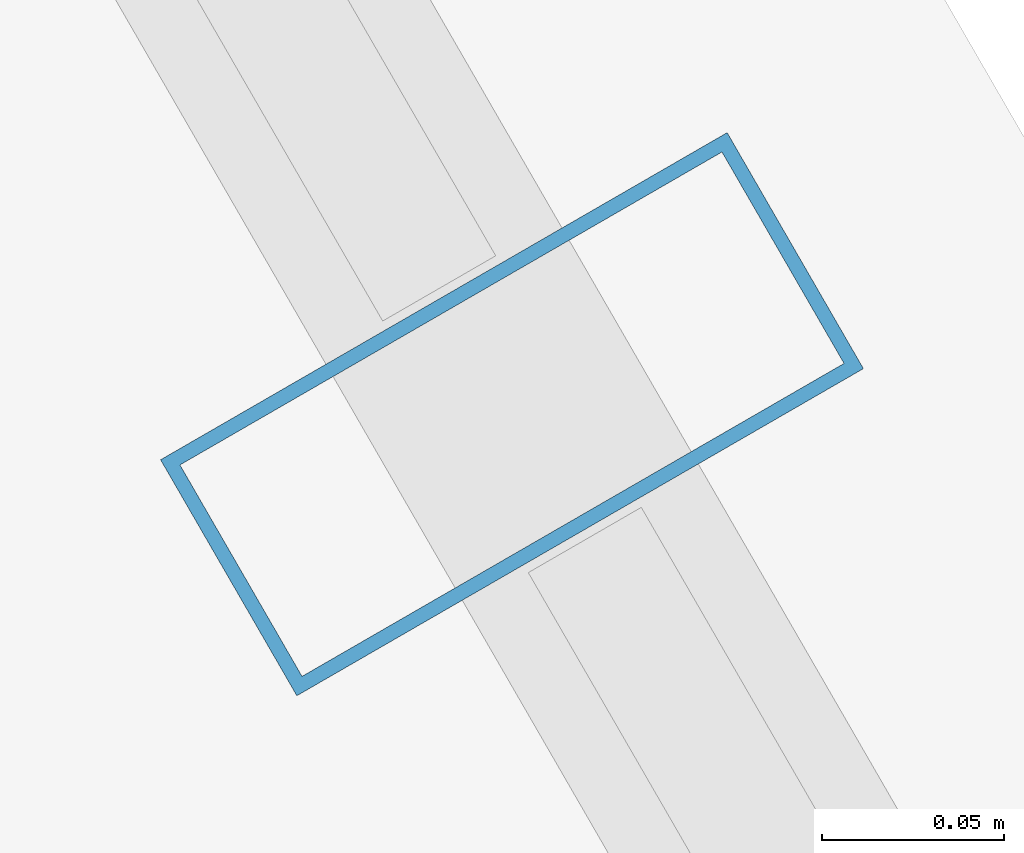
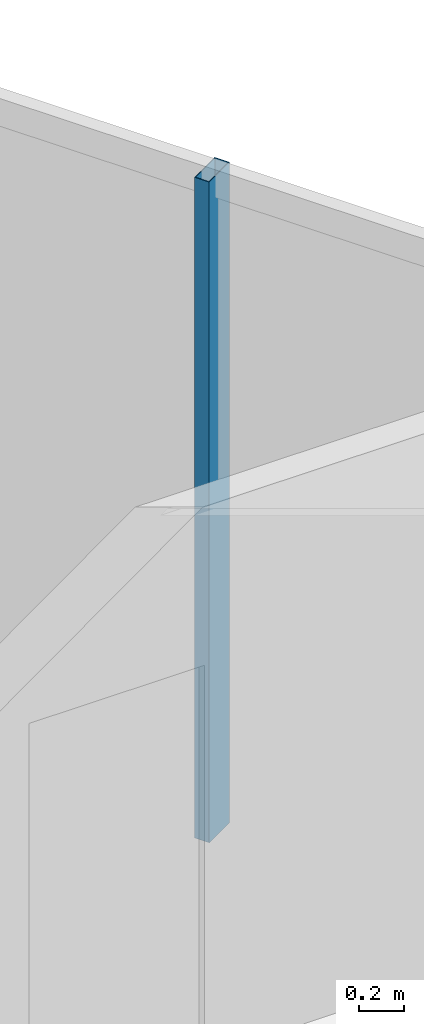
# One storey, part 15 of 29: 1 member, 1 element without a shape of its own.
"""IFC4 building model written with IfcOpenShell, lengths in metres."""

from ifc_helpers import new_model, si_unit, direction, frame, origin, origin_2d, place, context, subcontext, project, spatial, hollow_rectangle, extrude, material, layer, layer_set, material_profile, profile_set, type_object, element, aggregate, save


model = new_model("IFC4")

# Units and contexts
model_context = context("Model", 3, precision=1e-05, world=origin(), true_north=direction((0.0, 1.0)))
body_context = subcontext(model_context, "Body", "Model", "MODEL_VIEW")
ifc_project = project(units=[si_unit("LENGTHUNIT", "METRE"), si_unit("AREAUNIT", "SQUARE_METRE"), si_unit("VOLUMEUNIT", "CUBIC_METRE"), si_unit("PLANEANGLEUNIT", "RADIAN"), si_unit("MASSUNIT", "GRAM", prefix="KILO")], contexts=[model_context])

# Site, building, storey
site_placement = place(None, origin())
site = spatial("IfcSite", under=ifc_project, at=site_placement, CompositionType="ELEMENT")
building_placement = place(site_placement, origin())
building = spatial("IfcBuilding", under=site, at=building_placement, Name="Ndaravel Arena Tower", CompositionType="ELEMENT")
storey_placement = place(building_placement, frame((0.0, 0.0, 248.39990234375)))
storey = spatial("IfcBuildingStorey", under=building, at=storey_placement, Name="L60", CompositionType="ELEMENT", Elevation=248.39990234375)

# Curtain wall, member
ifc_material_1 = material(Name="Aluminium", Category="aluminium")
ifc_layer = layer(ifc_material_1, 0.179931640625)
ifc_layer_set = layer_set([ifc_layer], Name="Aluminium")
curtain_wall_type = type_object("IfcCurtainWallType", Name="CW-SYS-03", PredefinedType="NOTDEFINED", material=ifc_layer_set)
curtain_wall_placement = place(storey_placement, origin())
curtain_wall = element("IfcCurtainWall", 1, at=curtain_wall_placement, inside=storey, type_object=curtain_wall_type, Name="L60 Faceted Crystal Curtain Wall CW-L60-E03", PredefinedType="NOTDEFINED")
ifc_material_2 = material(Name="Aluminium", Category="aluminium")
ifc_material_profile = material_profile(ifc_material_2, hollow_rectangle(XDim=0.074951171875, YDim=0.179931640625, WallThickness=0.00390625, at=origin_2d()), Name="CW MULLION 75x180x4")
ifc_profile_set = profile_set([ifc_material_profile], Name="Aluminium")
member_type = type_object("IfcMemberType", Name="MEM-CW-MUL180", PredefinedType="MULLION", material=ifc_profile_set)
member_placement = place(storey_placement, frame((60.61962890625, 18.46142578125, 0.0), z_axis=(0.0, 0.0, 1.0), x_axis=(-0.5, 0.866025403784, 0.0)))
member = element("IfcMember", 2, at=member_placement, type_object=member_type, Name="CW-L60-E03 Mullion 02", PredefinedType="MULLION", context=body_context, shape_type="SweptSolid", body=[
    extrude(hollow_rectangle(XDim=0.074951171875, YDim=0.179931640625, WallThickness=0.00390625, at=origin_2d()), origin(), (0.0, 0.0, 1.0), 3.580078125),
])
aggregate(curtain_wall, [member])

save(model, "model.ifc")
